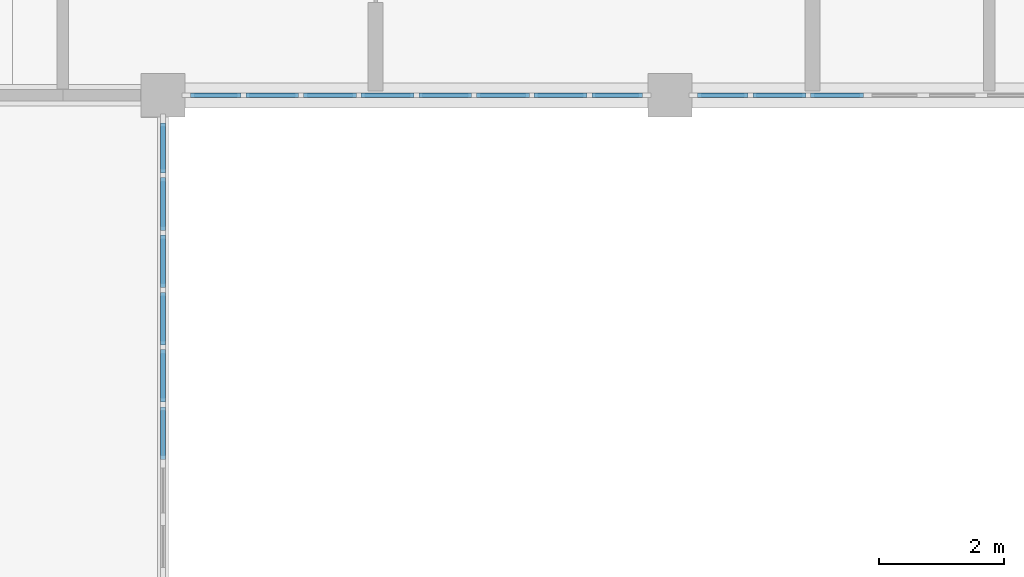
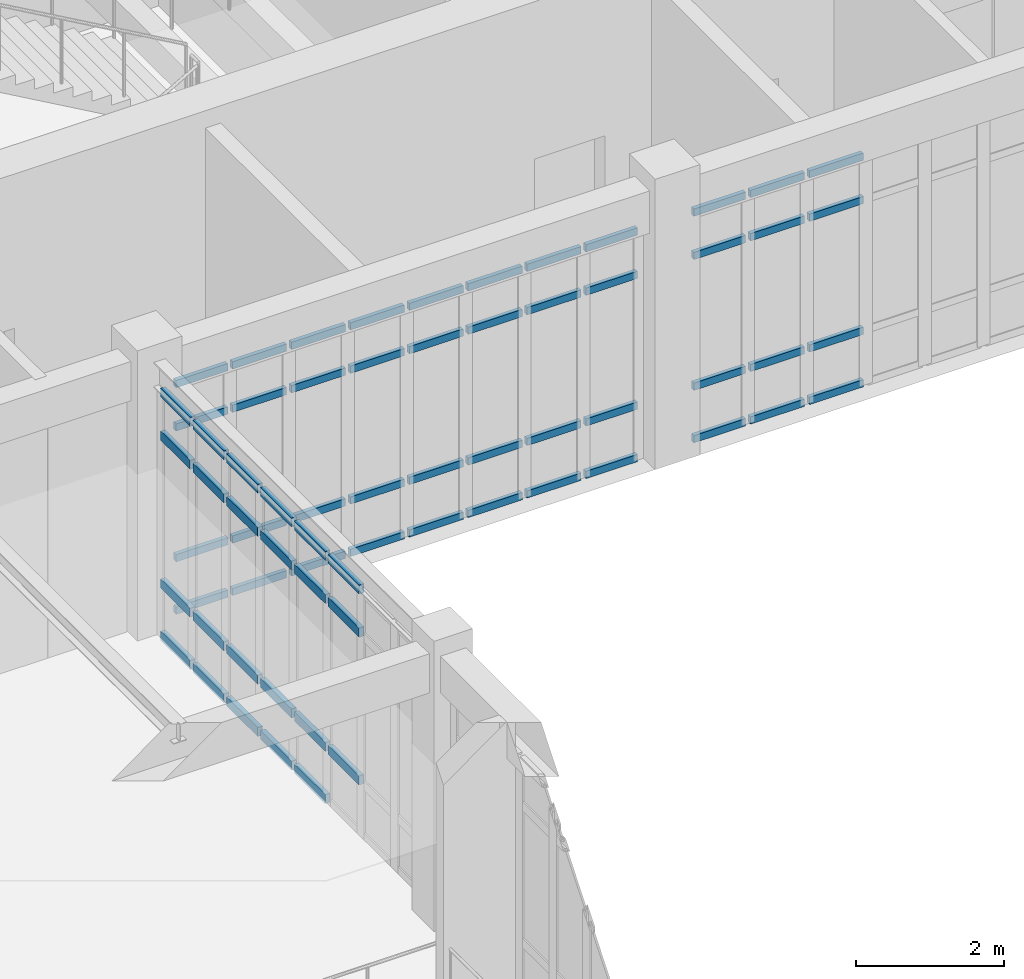
# One storey, part 24 of 61: 67 members, 3 elements without a shape of their own.
"""IFC4 building model written with IfcOpenShell, lengths in metres."""

from ifc_helpers import new_model, si_unit, direction, frame, origin, origin_2d, place, context, subcontext, project, spatial, rectangle, extrude, material, material_profile, profile_set, type_object, element, aggregate, save


model = new_model("IFC4")

# Units and contexts
model_context = context("Model", 3, precision=1e-05, world=origin(), true_north=direction((0.0, 1.0)))
body_context = subcontext(model_context, "Body", "Model", "MODEL_VIEW")
ifc_project = project(units=[si_unit("LENGTHUNIT", "METRE"), si_unit("AREAUNIT", "SQUARE_METRE"), si_unit("VOLUMEUNIT", "CUBIC_METRE"), si_unit("PLANEANGLEUNIT", "RADIAN"), si_unit("MASSUNIT", "GRAM", prefix="KILO")], contexts=[model_context])

# Site, building, storey
site_placement = place(None, origin())
site = spatial("IfcSite", under=ifc_project, at=site_placement, CompositionType="ELEMENT")
building_placement = place(site_placement, origin())
building = spatial("IfcBuilding", under=site, at=building_placement, Name="Tarnveldt Square Police Headquarters", CompositionType="ELEMENT")
storey_placement = place(building_placement, frame((0.0, 0.0, 5.39990234375)))
storey = spatial("IfcBuildingStorey", under=building, at=storey_placement, Name="L01", CompositionType="ELEMENT", Elevation=5.39990234375)

# Curtain wall, members
ifc_material_1 = material(Name="Triple-glazed low-e laminated vision glass", Category="glass")
curtain_wall_type_1 = type_object("IfcCurtainWallType", Name="CW-LB-737x381", PredefinedType="USERDEFINED", material=ifc_material_1)
curtain_wall_1_placement = place(storey_placement, origin())
curtain_wall_1 = element("IfcCurtainWall", 1, at=curtain_wall_1_placement, inside=storey, type_object=curtain_wall_type_1, Name="L01 Curtain Wall CW-L01-105", ObjectType="GLAZED CURTAIN WALL", PredefinedType="USERDEFINED")
ifc_material_2 = material(Name="Thermally broken anodised aluminium 6063-T6", Category="aluminium")
ifc_material_profile_1 = material_profile(ifc_material_2, rectangle(XDim=0.06494140625, YDim=0.1201171875, at=origin_2d()), Name="CW-T65x120")
ifc_profile_set_1 = profile_set([ifc_material_profile_1], Name="Thermally broken anodised aluminium 6063-T6")
member_type_1 = type_object("IfcMemberType", Name="CWT-65x120", PredefinedType="USERDEFINED", material=ifc_profile_set_1)
member_1_placement = place(storey_placement, frame((49.0400390625, 96.0, 0.03271484375), z_axis=(1.0, 0.0, 0.0), x_axis=(0.0, 1.0, 0.0)))
member_1 = element("IfcMember", 2, at=member_1_placement, type_object=member_type_1, Name="CW-LB60 transom 1.1", ObjectType="TRANSOM", PredefinedType="USERDEFINED", context=body_context, shape_type="SweptSolid", body=[
    extrude(rectangle(XDim=0.06494140625, YDim=0.1201171875, at=origin_2d()), origin(), (0.0, 0.0, 1.0), 0.80859375),
])
member_2_placement = place(storey_placement, frame((49.0400390625, 96.0, 0.900146484375), z_axis=(1.0, 0.0, 0.0), x_axis=(0.0, 1.0, 0.0)))
member_2 = element("IfcMember", 3, at=member_2_placement, type_object=member_type_1, Name="CW-LB60 transom 1.2", ObjectType="TRANSOM", PredefinedType="USERDEFINED", context=body_context, shape_type="SweptSolid", body=[
    extrude(rectangle(XDim=0.06494140625, YDim=0.1201171875, at=origin_2d()), origin(), (0.0, 0.0, 1.0), 0.80859375),
])
member_3_placement = place(storey_placement, frame((49.0400390625, 96.0, 3.06201171875), z_axis=(1.0, 0.0, 0.0), x_axis=(0.0, 1.0, 0.0)))
member_3 = element("IfcMember", 4, at=member_3_placement, type_object=member_type_1, Name="CW-LB60 transom 1.3", ObjectType="TRANSOM", PredefinedType="USERDEFINED", context=body_context, shape_type="SweptSolid", body=[
    extrude(rectangle(XDim=0.06494140625, YDim=0.1201171875, at=origin_2d()), origin(), (0.0, 0.0, 1.0), 0.80859375),
])
member_4_placement = place(storey_placement, frame((49.0400390625, 96.0, 3.779541015625), z_axis=(1.0, 0.0, 0.0), x_axis=(0.0, 1.0, 0.0)))
member_4 = element("IfcMember", 5, at=member_4_placement, type_object=member_type_1, Name="CW-LB60 transom 1.4", ObjectType="TRANSOM", PredefinedType="USERDEFINED", context=body_context, shape_type="SweptSolid", body=[
    extrude(rectangle(XDim=0.06494140625, YDim=0.1201171875, at=origin_2d()), origin(), (0.0, 0.0, 1.0), 0.80859375),
])
member_5_placement = place(storey_placement, frame((49.923828125, 96.0, 0.03271484375), z_axis=(1.0, 0.0, 0.0), x_axis=(0.0, 1.0, 0.0)))
member_5 = element("IfcMember", 6, at=member_5_placement, type_object=member_type_1, Name="CW-LB60 transom 2.1", ObjectType="TRANSOM", PredefinedType="USERDEFINED", context=body_context, shape_type="SweptSolid", body=[
    extrude(rectangle(XDim=0.06494140625, YDim=0.1201171875, at=origin_2d()), origin(), (0.0, 0.0, 1.0), 0.84619140625),
])
member_6_placement = place(storey_placement, frame((49.923828125, 96.0, 0.900146484375), z_axis=(1.0, 0.0, 0.0), x_axis=(0.0, 1.0, 0.0)))
member_6 = element("IfcMember", 7, at=member_6_placement, type_object=member_type_1, Name="CW-LB60 transom 2.2", ObjectType="TRANSOM", PredefinedType="USERDEFINED", context=body_context, shape_type="SweptSolid", body=[
    extrude(rectangle(XDim=0.06494140625, YDim=0.1201171875, at=origin_2d()), origin(), (0.0, 0.0, 1.0), 0.84619140625),
])
member_7_placement = place(storey_placement, frame((49.923828125, 96.0, 3.06201171875), z_axis=(1.0, 0.0, 0.0), x_axis=(0.0, 1.0, 0.0)))
member_7 = element("IfcMember", 8, at=member_7_placement, type_object=member_type_1, Name="CW-LB60 transom 2.3", ObjectType="TRANSOM", PredefinedType="USERDEFINED", context=body_context, shape_type="SweptSolid", body=[
    extrude(rectangle(XDim=0.06494140625, YDim=0.1201171875, at=origin_2d()), origin(), (0.0, 0.0, 1.0), 0.84619140625),
])
member_8_placement = place(storey_placement, frame((49.923828125, 96.0, 3.779541015625), z_axis=(1.0, 0.0, 0.0), x_axis=(0.0, 1.0, 0.0)))
member_8 = element("IfcMember", 9, at=member_8_placement, type_object=member_type_1, Name="CW-LB60 transom 2.4", ObjectType="TRANSOM", PredefinedType="USERDEFINED", context=body_context, shape_type="SweptSolid", body=[
    extrude(rectangle(XDim=0.06494140625, YDim=0.1201171875, at=origin_2d()), origin(), (0.0, 0.0, 1.0), 0.84619140625),
])
member_9_placement = place(storey_placement, frame((50.844970703125, 96.0, 0.03271484375), z_axis=(1.0, 0.0, 0.0), x_axis=(0.0, 1.0, 0.0)))
member_9 = element("IfcMember", 10, at=member_9_placement, type_object=member_type_1, Name="CW-LB60 transom 3.1", ObjectType="TRANSOM", PredefinedType="USERDEFINED", context=body_context, shape_type="SweptSolid", body=[
    extrude(rectangle(XDim=0.06494140625, YDim=0.1201171875, at=origin_2d()), origin(), (0.0, 0.0, 1.0), 0.84619140625),
])
member_10_placement = place(storey_placement, frame((50.844970703125, 96.0, 0.900146484375), z_axis=(1.0, 0.0, 0.0), x_axis=(0.0, 1.0, 0.0)))
member_10 = element("IfcMember", 11, at=member_10_placement, type_object=member_type_1, Name="CW-LB60 transom 3.2", ObjectType="TRANSOM", PredefinedType="USERDEFINED", context=body_context, shape_type="SweptSolid", body=[
    extrude(rectangle(XDim=0.06494140625, YDim=0.1201171875, at=origin_2d()), origin(), (0.0, 0.0, 1.0), 0.84619140625),
])
member_11_placement = place(storey_placement, frame((50.844970703125, 96.0, 3.06201171875), z_axis=(1.0, 0.0, 0.0), x_axis=(0.0, 1.0, 0.0)))
member_11 = element("IfcMember", 12, at=member_11_placement, type_object=member_type_1, Name="CW-LB60 transom 3.3", ObjectType="TRANSOM", PredefinedType="USERDEFINED", context=body_context, shape_type="SweptSolid", body=[
    extrude(rectangle(XDim=0.06494140625, YDim=0.1201171875, at=origin_2d()), origin(), (0.0, 0.0, 1.0), 0.84619140625),
])
member_12_placement = place(storey_placement, frame((50.844970703125, 96.0, 3.779541015625), z_axis=(1.0, 0.0, 0.0), x_axis=(0.0, 1.0, 0.0)))
member_12 = element("IfcMember", 13, at=member_12_placement, type_object=member_type_1, Name="CW-LB60 transom 3.4", ObjectType="TRANSOM", PredefinedType="USERDEFINED", context=body_context, shape_type="SweptSolid", body=[
    extrude(rectangle(XDim=0.06494140625, YDim=0.1201171875, at=origin_2d()), origin(), (0.0, 0.0, 1.0), 0.84619140625),
])
member_13_placement = place(storey_placement, frame((51.766357421875, 96.0, 0.03271484375), z_axis=(1.0, 0.0, 0.0), x_axis=(0.0, 1.0, 0.0)))
member_13 = element("IfcMember", 14, at=member_13_placement, type_object=member_type_1, Name="CW-LB60 transom 4.1", ObjectType="TRANSOM", PredefinedType="USERDEFINED", context=body_context, shape_type="SweptSolid", body=[
    extrude(rectangle(XDim=0.06494140625, YDim=0.1201171875, at=origin_2d()), origin(), (0.0, 0.0, 1.0), 0.84619140625),
])
member_14_placement = place(storey_placement, frame((51.766357421875, 96.0, 0.900146484375), z_axis=(1.0, 0.0, 0.0), x_axis=(0.0, 1.0, 0.0)))
member_14 = element("IfcMember", 15, at=member_14_placement, type_object=member_type_1, Name="CW-LB60 transom 4.2", ObjectType="TRANSOM", PredefinedType="USERDEFINED", context=body_context, shape_type="SweptSolid", body=[
    extrude(rectangle(XDim=0.06494140625, YDim=0.1201171875, at=origin_2d()), origin(), (0.0, 0.0, 1.0), 0.84619140625),
])
member_15_placement = place(storey_placement, frame((51.766357421875, 96.0, 3.06201171875), z_axis=(1.0, 0.0, 0.0), x_axis=(0.0, 1.0, 0.0)))
member_15 = element("IfcMember", 16, at=member_15_placement, type_object=member_type_1, Name="CW-LB60 transom 4.3", ObjectType="TRANSOM", PredefinedType="USERDEFINED", context=body_context, shape_type="SweptSolid", body=[
    extrude(rectangle(XDim=0.06494140625, YDim=0.1201171875, at=origin_2d()), origin(), (0.0, 0.0, 1.0), 0.84619140625),
])
member_16_placement = place(storey_placement, frame((51.766357421875, 96.0, 3.779541015625), z_axis=(1.0, 0.0, 0.0), x_axis=(0.0, 1.0, 0.0)))
member_16 = element("IfcMember", 17, at=member_16_placement, type_object=member_type_1, Name="CW-LB60 transom 4.4", ObjectType="TRANSOM", PredefinedType="USERDEFINED", context=body_context, shape_type="SweptSolid", body=[
    extrude(rectangle(XDim=0.06494140625, YDim=0.1201171875, at=origin_2d()), origin(), (0.0, 0.0, 1.0), 0.84619140625),
])
member_17_placement = place(storey_placement, frame((52.6875, 96.0, 0.03271484375), z_axis=(1.0, 0.0, 0.0), x_axis=(0.0, 1.0, 0.0)))
member_17 = element("IfcMember", 18, at=member_17_placement, type_object=member_type_1, Name="CW-LB60 transom 5.1", ObjectType="TRANSOM", PredefinedType="USERDEFINED", context=body_context, shape_type="SweptSolid", body=[
    extrude(rectangle(XDim=0.06494140625, YDim=0.1201171875, at=origin_2d()), origin(), (0.0, 0.0, 1.0), 0.84619140625),
])
member_18_placement = place(storey_placement, frame((52.6875, 96.0, 0.900146484375), z_axis=(1.0, 0.0, 0.0), x_axis=(0.0, 1.0, 0.0)))
member_18 = element("IfcMember", 19, at=member_18_placement, type_object=member_type_1, Name="CW-LB60 transom 5.2", ObjectType="TRANSOM", PredefinedType="USERDEFINED", context=body_context, shape_type="SweptSolid", body=[
    extrude(rectangle(XDim=0.06494140625, YDim=0.1201171875, at=origin_2d()), origin(), (0.0, 0.0, 1.0), 0.84619140625),
])
member_19_placement = place(storey_placement, frame((52.6875, 96.0, 3.06201171875), z_axis=(1.0, 0.0, 0.0), x_axis=(0.0, 1.0, 0.0)))
member_19 = element("IfcMember", 20, at=member_19_placement, type_object=member_type_1, Name="CW-LB60 transom 5.3", ObjectType="TRANSOM", PredefinedType="USERDEFINED", context=body_context, shape_type="SweptSolid", body=[
    extrude(rectangle(XDim=0.06494140625, YDim=0.1201171875, at=origin_2d()), origin(), (0.0, 0.0, 1.0), 0.84619140625),
])
member_20_placement = place(storey_placement, frame((52.6875, 96.0, 3.779541015625), z_axis=(1.0, 0.0, 0.0), x_axis=(0.0, 1.0, 0.0)))
member_20 = element("IfcMember", 21, at=member_20_placement, type_object=member_type_1, Name="CW-LB60 transom 5.4", ObjectType="TRANSOM", PredefinedType="USERDEFINED", context=body_context, shape_type="SweptSolid", body=[
    extrude(rectangle(XDim=0.06494140625, YDim=0.1201171875, at=origin_2d()), origin(), (0.0, 0.0, 1.0), 0.84619140625),
])
member_21_placement = place(storey_placement, frame((53.608642578125, 96.0, 0.03271484375), z_axis=(1.0, 0.0, 0.0), x_axis=(0.0, 1.0, 0.0)))
member_21 = element("IfcMember", 22, at=member_21_placement, type_object=member_type_1, Name="CW-LB60 transom 6.1", ObjectType="TRANSOM", PredefinedType="USERDEFINED", context=body_context, shape_type="SweptSolid", body=[
    extrude(rectangle(XDim=0.06494140625, YDim=0.1201171875, at=origin_2d()), origin(), (0.0, 0.0, 1.0), 0.846435546875),
])
member_22_placement = place(storey_placement, frame((53.608642578125, 96.0, 0.900146484375), z_axis=(1.0, 0.0, 0.0), x_axis=(0.0, 1.0, 0.0)))
member_22 = element("IfcMember", 23, at=member_22_placement, type_object=member_type_1, Name="CW-LB60 transom 6.2", ObjectType="TRANSOM", PredefinedType="USERDEFINED", context=body_context, shape_type="SweptSolid", body=[
    extrude(rectangle(XDim=0.06494140625, YDim=0.1201171875, at=origin_2d()), origin(), (0.0, 0.0, 1.0), 0.846435546875),
])
member_23_placement = place(storey_placement, frame((53.608642578125, 96.0, 3.06201171875), z_axis=(1.0, 0.0, 0.0), x_axis=(0.0, 1.0, 0.0)))
member_23 = element("IfcMember", 24, at=member_23_placement, type_object=member_type_1, Name="CW-LB60 transom 6.3", ObjectType="TRANSOM", PredefinedType="USERDEFINED", context=body_context, shape_type="SweptSolid", body=[
    extrude(rectangle(XDim=0.06494140625, YDim=0.1201171875, at=origin_2d()), origin(), (0.0, 0.0, 1.0), 0.846435546875),
])
member_24_placement = place(storey_placement, frame((53.608642578125, 96.0, 3.779541015625), z_axis=(1.0, 0.0, 0.0), x_axis=(0.0, 1.0, 0.0)))
member_24 = element("IfcMember", 25, at=member_24_placement, type_object=member_type_1, Name="CW-LB60 transom 6.4", ObjectType="TRANSOM", PredefinedType="USERDEFINED", context=body_context, shape_type="SweptSolid", body=[
    extrude(rectangle(XDim=0.06494140625, YDim=0.1201171875, at=origin_2d()), origin(), (0.0, 0.0, 1.0), 0.846435546875),
])
member_25_placement = place(storey_placement, frame((54.530029296875, 96.0, 0.03271484375), z_axis=(1.0, 0.0, 0.0), x_axis=(0.0, 1.0, 0.0)))
member_25 = element("IfcMember", 26, at=member_25_placement, type_object=member_type_1, Name="CW-LB60 transom 7.1", ObjectType="TRANSOM", PredefinedType="USERDEFINED", context=body_context, shape_type="SweptSolid", body=[
    extrude(rectangle(XDim=0.06494140625, YDim=0.1201171875, at=origin_2d()), origin(), (0.0, 0.0, 1.0), 0.84619140625),
])
member_26_placement = place(storey_placement, frame((54.530029296875, 96.0, 0.900146484375), z_axis=(1.0, 0.0, 0.0), x_axis=(0.0, 1.0, 0.0)))
member_26 = element("IfcMember", 27, at=member_26_placement, type_object=member_type_1, Name="CW-LB60 transom 7.2", ObjectType="TRANSOM", PredefinedType="USERDEFINED", context=body_context, shape_type="SweptSolid", body=[
    extrude(rectangle(XDim=0.06494140625, YDim=0.1201171875, at=origin_2d()), origin(), (0.0, 0.0, 1.0), 0.84619140625),
])
member_27_placement = place(storey_placement, frame((54.530029296875, 96.0, 3.06201171875), z_axis=(1.0, 0.0, 0.0), x_axis=(0.0, 1.0, 0.0)))
member_27 = element("IfcMember", 28, at=member_27_placement, type_object=member_type_1, Name="CW-LB60 transom 7.3", ObjectType="TRANSOM", PredefinedType="USERDEFINED", context=body_context, shape_type="SweptSolid", body=[
    extrude(rectangle(XDim=0.06494140625, YDim=0.1201171875, at=origin_2d()), origin(), (0.0, 0.0, 1.0), 0.84619140625),
])
member_28_placement = place(storey_placement, frame((54.530029296875, 96.0, 3.779541015625), z_axis=(1.0, 0.0, 0.0), x_axis=(0.0, 1.0, 0.0)))
member_28 = element("IfcMember", 29, at=member_28_placement, type_object=member_type_1, Name="CW-LB60 transom 7.4", ObjectType="TRANSOM", PredefinedType="USERDEFINED", context=body_context, shape_type="SweptSolid", body=[
    extrude(rectangle(XDim=0.06494140625, YDim=0.1201171875, at=origin_2d()), origin(), (0.0, 0.0, 1.0), 0.84619140625),
])
member_29_placement = place(storey_placement, frame((55.451171875, 96.0, 0.03271484375), z_axis=(1.0, 0.0, 0.0), x_axis=(0.0, 1.0, 0.0)))
member_29 = element("IfcMember", 30, at=member_29_placement, type_object=member_type_1, Name="CW-LB60 transom 8.1", ObjectType="TRANSOM", PredefinedType="USERDEFINED", context=body_context, shape_type="SweptSolid", body=[
    extrude(rectangle(XDim=0.06494140625, YDim=0.1201171875, at=origin_2d()), origin(), (0.0, 0.0, 1.0), 0.808837890625),
])
member_30_placement = place(storey_placement, frame((55.451171875, 96.0, 0.900146484375), z_axis=(1.0, 0.0, 0.0), x_axis=(0.0, 1.0, 0.0)))
member_30 = element("IfcMember", 31, at=member_30_placement, type_object=member_type_1, Name="CW-LB60 transom 8.2", ObjectType="TRANSOM", PredefinedType="USERDEFINED", context=body_context, shape_type="SweptSolid", body=[
    extrude(rectangle(XDim=0.06494140625, YDim=0.1201171875, at=origin_2d()), origin(), (0.0, 0.0, 1.0), 0.808837890625),
])
member_31_placement = place(storey_placement, frame((55.451171875, 96.0, 3.06201171875), z_axis=(1.0, 0.0, 0.0), x_axis=(0.0, 1.0, 0.0)))
member_31 = element("IfcMember", 32, at=member_31_placement, type_object=member_type_1, Name="CW-LB60 transom 8.3", ObjectType="TRANSOM", PredefinedType="USERDEFINED", context=body_context, shape_type="SweptSolid", body=[
    extrude(rectangle(XDim=0.06494140625, YDim=0.1201171875, at=origin_2d()), origin(), (0.0, 0.0, 1.0), 0.808837890625),
])
member_32_placement = place(storey_placement, frame((55.451171875, 96.0, 3.779541015625), z_axis=(1.0, 0.0, 0.0), x_axis=(0.0, 1.0, 0.0)))
member_32 = element("IfcMember", 33, at=member_32_placement, type_object=member_type_1, Name="CW-LB60 transom 8.4", ObjectType="TRANSOM", PredefinedType="USERDEFINED", context=body_context, shape_type="SweptSolid", body=[
    extrude(rectangle(XDim=0.06494140625, YDim=0.1201171875, at=origin_2d()), origin(), (0.0, 0.0, 1.0), 0.808837890625),
])
aggregate(curtain_wall_1, [member_1, member_2, member_3, member_4, member_5, member_6, member_7, member_8, member_9, member_10, member_11, member_12, member_13, member_14, member_15, member_16, member_17, member_18, member_19, member_20, member_21, member_22, member_23, member_24, member_25, member_26, member_27, member_28, member_29, member_30, member_31, member_32])

curtain_wall_2_placement = place(storey_placement, origin())
curtain_wall_2 = element("IfcCurtainWall", 34, at=curtain_wall_2_placement, inside=storey, type_object=curtain_wall_type_1, Name="L01 Curtain Wall CW-L01-106", ObjectType="GLAZED CURTAIN WALL", PredefinedType="USERDEFINED")
member_33_placement = place(storey_placement, frame((57.139892578125, 96.0, 0.03271484375), z_axis=(1.0, 0.0, 0.0), x_axis=(0.0, 1.0, 0.0)))
member_33 = element("IfcMember", 35, at=member_33_placement, type_object=member_type_1, Name="CW-LB60 transom 1.1", ObjectType="TRANSOM", PredefinedType="USERDEFINED", context=body_context, shape_type="SweptSolid", body=[
    extrude(rectangle(XDim=0.06494140625, YDim=0.1201171875, at=origin_2d()), origin(), (0.0, 0.0, 1.0), 0.808837890625),
])
member_34_placement = place(storey_placement, frame((57.139892578125, 96.0, 0.900146484375), z_axis=(1.0, 0.0, 0.0), x_axis=(0.0, 1.0, 0.0)))
member_34 = element("IfcMember", 36, at=member_34_placement, type_object=member_type_1, Name="CW-LB60 transom 1.2", ObjectType="TRANSOM", PredefinedType="USERDEFINED", context=body_context, shape_type="SweptSolid", body=[
    extrude(rectangle(XDim=0.06494140625, YDim=0.1201171875, at=origin_2d()), origin(), (0.0, 0.0, 1.0), 0.808837890625),
])
member_35_placement = place(storey_placement, frame((57.139892578125, 96.0, 3.06201171875), z_axis=(1.0, 0.0, 0.0), x_axis=(0.0, 1.0, 0.0)))
member_35 = element("IfcMember", 37, at=member_35_placement, type_object=member_type_1, Name="CW-LB60 transom 1.3", ObjectType="TRANSOM", PredefinedType="USERDEFINED", context=body_context, shape_type="SweptSolid", body=[
    extrude(rectangle(XDim=0.06494140625, YDim=0.1201171875, at=origin_2d()), origin(), (0.0, 0.0, 1.0), 0.808837890625),
])
member_36_placement = place(storey_placement, frame((57.139892578125, 96.0, 3.779541015625), z_axis=(1.0, 0.0, 0.0), x_axis=(0.0, 1.0, 0.0)))
member_36 = element("IfcMember", 38, at=member_36_placement, type_object=member_type_1, Name="CW-LB60 transom 1.4", ObjectType="TRANSOM", PredefinedType="USERDEFINED", context=body_context, shape_type="SweptSolid", body=[
    extrude(rectangle(XDim=0.06494140625, YDim=0.1201171875, at=origin_2d()), origin(), (0.0, 0.0, 1.0), 0.808837890625),
])
member_37_placement = place(storey_placement, frame((58.023681640625, 96.0, 0.03271484375), z_axis=(1.0, 0.0, 0.0), x_axis=(0.0, 1.0, 0.0)))
member_37 = element("IfcMember", 39, at=member_37_placement, type_object=member_type_1, Name="CW-LB60 transom 2.1", ObjectType="TRANSOM", PredefinedType="USERDEFINED", context=body_context, shape_type="SweptSolid", body=[
    extrude(rectangle(XDim=0.06494140625, YDim=0.1201171875, at=origin_2d()), origin(), (0.0, 0.0, 1.0), 0.846435546875),
])
member_38_placement = place(storey_placement, frame((58.023681640625, 96.0, 0.900146484375), z_axis=(1.0, 0.0, 0.0), x_axis=(0.0, 1.0, 0.0)))
member_38 = element("IfcMember", 40, at=member_38_placement, type_object=member_type_1, Name="CW-LB60 transom 2.2", ObjectType="TRANSOM", PredefinedType="USERDEFINED", context=body_context, shape_type="SweptSolid", body=[
    extrude(rectangle(XDim=0.06494140625, YDim=0.1201171875, at=origin_2d()), origin(), (0.0, 0.0, 1.0), 0.846435546875),
])
member_39_placement = place(storey_placement, frame((58.023681640625, 96.0, 3.06201171875), z_axis=(1.0, 0.0, 0.0), x_axis=(0.0, 1.0, 0.0)))
member_39 = element("IfcMember", 41, at=member_39_placement, type_object=member_type_1, Name="CW-LB60 transom 2.3", ObjectType="TRANSOM", PredefinedType="USERDEFINED", context=body_context, shape_type="SweptSolid", body=[
    extrude(rectangle(XDim=0.06494140625, YDim=0.1201171875, at=origin_2d()), origin(), (0.0, 0.0, 1.0), 0.846435546875),
])
member_40_placement = place(storey_placement, frame((58.023681640625, 96.0, 3.779541015625), z_axis=(1.0, 0.0, 0.0), x_axis=(0.0, 1.0, 0.0)))
member_40 = element("IfcMember", 42, at=member_40_placement, type_object=member_type_1, Name="CW-LB60 transom 2.4", ObjectType="TRANSOM", PredefinedType="USERDEFINED", context=body_context, shape_type="SweptSolid", body=[
    extrude(rectangle(XDim=0.06494140625, YDim=0.1201171875, at=origin_2d()), origin(), (0.0, 0.0, 1.0), 0.846435546875),
])
member_41_placement = place(storey_placement, frame((58.945068359375, 96.0, 0.03271484375), z_axis=(1.0, 0.0, 0.0), x_axis=(0.0, 1.0, 0.0)))
member_41 = element("IfcMember", 43, at=member_41_placement, type_object=member_type_1, Name="CW-LB60 transom 3.1", ObjectType="TRANSOM", PredefinedType="USERDEFINED", context=body_context, shape_type="SweptSolid", body=[
    extrude(rectangle(XDim=0.06494140625, YDim=0.1201171875, at=origin_2d()), origin(), (0.0, 0.0, 1.0), 0.84619140625),
])
member_42_placement = place(storey_placement, frame((58.945068359375, 96.0, 0.900146484375), z_axis=(1.0, 0.0, 0.0), x_axis=(0.0, 1.0, 0.0)))
member_42 = element("IfcMember", 44, at=member_42_placement, type_object=member_type_1, Name="CW-LB60 transom 3.2", ObjectType="TRANSOM", PredefinedType="USERDEFINED", context=body_context, shape_type="SweptSolid", body=[
    extrude(rectangle(XDim=0.06494140625, YDim=0.1201171875, at=origin_2d()), origin(), (0.0, 0.0, 1.0), 0.84619140625),
])
member_43_placement = place(storey_placement, frame((58.945068359375, 96.0, 3.06201171875), z_axis=(1.0, 0.0, 0.0), x_axis=(0.0, 1.0, 0.0)))
member_43 = element("IfcMember", 45, at=member_43_placement, type_object=member_type_1, Name="CW-LB60 transom 3.3", ObjectType="TRANSOM", PredefinedType="USERDEFINED", context=body_context, shape_type="SweptSolid", body=[
    extrude(rectangle(XDim=0.06494140625, YDim=0.1201171875, at=origin_2d()), origin(), (0.0, 0.0, 1.0), 0.84619140625),
])
member_44_placement = place(storey_placement, frame((58.945068359375, 96.0, 3.779541015625), z_axis=(1.0, 0.0, 0.0), x_axis=(0.0, 1.0, 0.0)))
member_44 = element("IfcMember", 46, at=member_44_placement, type_object=member_type_1, Name="CW-LB60 transom 3.4", ObjectType="TRANSOM", PredefinedType="USERDEFINED", context=body_context, shape_type="SweptSolid", body=[
    extrude(rectangle(XDim=0.06494140625, YDim=0.1201171875, at=origin_2d()), origin(), (0.0, 0.0, 1.0), 0.84619140625),
])
aggregate(curtain_wall_2, [member_33, member_34, member_35, member_36, member_37, member_38, member_39, member_40, member_41, member_42, member_43, member_44])

curtain_wall_type_2 = type_object("IfcCurtainWallType", Name="CW-WG-732x409", PredefinedType="USERDEFINED", material=ifc_material_1)
curtain_wall_3_placement = place(storey_placement, origin())
curtain_wall_3 = element("IfcCurtainWall", 47, at=curtain_wall_3_placement, inside=storey, type_object=curtain_wall_type_2, Name="L01 Curtain Wall CW-L01-072", ObjectType="GLAZED CURTAIN WALL", PredefinedType="USERDEFINED")
ifc_material_profile_2 = material_profile(ifc_material_2, rectangle(XDim=0.074951171875, YDim=0.14990234375, at=origin_2d()), Name="CW-T75x150")
ifc_profile_set_2 = profile_set([ifc_material_profile_2], Name="Thermally broken anodised aluminium 6063-T6")
member_type_2 = type_object("IfcMemberType", Name="CWT-75x150", PredefinedType="USERDEFINED", material=ifc_profile_set_2)
member_45_placement = place(storey_placement, frame((48.60009765625, 90.1826171875, 0.900146484375), z_axis=(0.0, 1.0, 0.0), x_axis=(-1.0, 0.0, 0.0)))
member_45 = element("IfcMember", 48, at=member_45_placement, type_object=member_type_2, Name="CW-WG32 transom 3.2", ObjectType="TRANSOM", PredefinedType="USERDEFINED", context=body_context, shape_type="SweptSolid", body=[
    extrude(rectangle(XDim=0.074951171875, YDim=0.14990234375, at=origin_2d()), origin(), (0.0, 0.0, 1.0), 0.83984375),
])
member_46_placement = place(storey_placement, frame((48.60009765625, 90.1826171875, 3.34521484375), z_axis=(0.0, 1.0, 0.0), x_axis=(-1.0, 0.0, 0.0)))
member_46 = element("IfcMember", 49, at=member_46_placement, type_object=member_type_2, Name="CW-WG32 transom 3.3", ObjectType="TRANSOM", PredefinedType="USERDEFINED", context=body_context, shape_type="SweptSolid", body=[
    extrude(rectangle(XDim=0.074951171875, YDim=0.14990234375, at=origin_2d()), origin(), (0.0, 0.0, 1.0), 0.83984375),
])
member_47_placement = place(storey_placement, frame((48.60009765625, 90.1826171875, 4.0576171875), z_axis=(0.0, 1.0, 0.0), x_axis=(-1.0, 0.0, 0.0)))
member_47 = element("IfcMember", 50, at=member_47_placement, type_object=member_type_2, Name="CW-WG32 transom 3.4", ObjectType="TRANSOM", PredefinedType="USERDEFINED", context=body_context, shape_type="SweptSolid", body=[
    extrude(rectangle(XDim=0.074951171875, YDim=0.14990234375, at=origin_2d()), origin(), (0.0, 0.0, 1.0), 0.83984375),
])
member_48_placement = place(storey_placement, frame((48.60009765625, 91.097412109375, 0.03759765625), z_axis=(0.0, 1.0, 0.0), x_axis=(-1.0, 0.0, 0.0)))
member_48 = element("IfcMember", 51, at=member_48_placement, type_object=member_type_2, Name="CW-WG32 transom 4.1", ObjectType="TRANSOM", PredefinedType="USERDEFINED", context=body_context, shape_type="SweptSolid", body=[
    extrude(rectangle(XDim=0.074951171875, YDim=0.14990234375, at=origin_2d()), origin(), (0.0, 0.0, 1.0), 0.840087890625),
])
member_49_placement = place(storey_placement, frame((48.60009765625, 91.097412109375, 0.900146484375), z_axis=(0.0, 1.0, 0.0), x_axis=(-1.0, 0.0, 0.0)))
member_49 = element("IfcMember", 52, at=member_49_placement, type_object=member_type_2, Name="CW-WG32 transom 4.2", ObjectType="TRANSOM", PredefinedType="USERDEFINED", context=body_context, shape_type="SweptSolid", body=[
    extrude(rectangle(XDim=0.074951171875, YDim=0.14990234375, at=origin_2d()), origin(), (0.0, 0.0, 1.0), 0.840087890625),
])
member_50_placement = place(storey_placement, frame((48.60009765625, 91.097412109375, 3.34521484375), z_axis=(0.0, 1.0, 0.0), x_axis=(-1.0, 0.0, 0.0)))
member_50 = element("IfcMember", 53, at=member_50_placement, type_object=member_type_2, Name="CW-WG32 transom 4.3", ObjectType="TRANSOM", PredefinedType="USERDEFINED", context=body_context, shape_type="SweptSolid", body=[
    extrude(rectangle(XDim=0.074951171875, YDim=0.14990234375, at=origin_2d()), origin(), (0.0, 0.0, 1.0), 0.840087890625),
])
member_51_placement = place(storey_placement, frame((48.60009765625, 91.097412109375, 4.0576171875), z_axis=(0.0, 1.0, 0.0), x_axis=(-1.0, 0.0, 0.0)))
member_51 = element("IfcMember", 54, at=member_51_placement, type_object=member_type_2, Name="CW-WG32 transom 4.4", ObjectType="TRANSOM", PredefinedType="USERDEFINED", context=body_context, shape_type="SweptSolid", body=[
    extrude(rectangle(XDim=0.074951171875, YDim=0.14990234375, at=origin_2d()), origin(), (0.0, 0.0, 1.0), 0.840087890625),
])
member_52_placement = place(storey_placement, frame((48.60009765625, 92.012451171875, 0.03759765625), z_axis=(0.0, 1.0, 0.0), x_axis=(-1.0, 0.0, 0.0)))
member_52 = element("IfcMember", 55, at=member_52_placement, type_object=member_type_2, Name="CW-WG32 transom 5.1", ObjectType="TRANSOM", PredefinedType="USERDEFINED", context=body_context, shape_type="SweptSolid", body=[
    extrude(rectangle(XDim=0.074951171875, YDim=0.14990234375, at=origin_2d()), origin(), (0.0, 0.0, 1.0), 0.840087890625),
])
member_53_placement = place(storey_placement, frame((48.60009765625, 92.012451171875, 0.900146484375), z_axis=(0.0, 1.0, 0.0), x_axis=(-1.0, 0.0, 0.0)))
member_53 = element("IfcMember", 56, at=member_53_placement, type_object=member_type_2, Name="CW-WG32 transom 5.2", ObjectType="TRANSOM", PredefinedType="USERDEFINED", context=body_context, shape_type="SweptSolid", body=[
    extrude(rectangle(XDim=0.074951171875, YDim=0.14990234375, at=origin_2d()), origin(), (0.0, 0.0, 1.0), 0.840087890625),
])
member_54_placement = place(storey_placement, frame((48.60009765625, 92.012451171875, 3.34521484375), z_axis=(0.0, 1.0, 0.0), x_axis=(-1.0, 0.0, 0.0)))
member_54 = element("IfcMember", 57, at=member_54_placement, type_object=member_type_2, Name="CW-WG32 transom 5.3", ObjectType="TRANSOM", PredefinedType="USERDEFINED", context=body_context, shape_type="SweptSolid", body=[
    extrude(rectangle(XDim=0.074951171875, YDim=0.14990234375, at=origin_2d()), origin(), (0.0, 0.0, 1.0), 0.840087890625),
])
member_55_placement = place(storey_placement, frame((48.60009765625, 92.012451171875, 4.0576171875), z_axis=(0.0, 1.0, 0.0), x_axis=(-1.0, 0.0, 0.0)))
member_55 = element("IfcMember", 58, at=member_55_placement, type_object=member_type_2, Name="CW-WG32 transom 5.4", ObjectType="TRANSOM", PredefinedType="USERDEFINED", context=body_context, shape_type="SweptSolid", body=[
    extrude(rectangle(XDim=0.074951171875, YDim=0.14990234375, at=origin_2d()), origin(), (0.0, 0.0, 1.0), 0.840087890625),
])
member_56_placement = place(storey_placement, frame((48.60009765625, 92.927490234375, 0.03759765625), z_axis=(0.0, 1.0, 0.0), x_axis=(-1.0, 0.0, 0.0)))
member_56 = element("IfcMember", 59, at=member_56_placement, type_object=member_type_2, Name="CW-WG32 transom 6.1", ObjectType="TRANSOM", PredefinedType="USERDEFINED", context=body_context, shape_type="SweptSolid", body=[
    extrude(rectangle(XDim=0.074951171875, YDim=0.14990234375, at=origin_2d()), origin(), (0.0, 0.0, 1.0), 0.840087890625),
])
member_57_placement = place(storey_placement, frame((48.60009765625, 92.927490234375, 0.900146484375), z_axis=(0.0, 1.0, 0.0), x_axis=(-1.0, 0.0, 0.0)))
member_57 = element("IfcMember", 60, at=member_57_placement, type_object=member_type_2, Name="CW-WG32 transom 6.2", ObjectType="TRANSOM", PredefinedType="USERDEFINED", context=body_context, shape_type="SweptSolid", body=[
    extrude(rectangle(XDim=0.074951171875, YDim=0.14990234375, at=origin_2d()), origin(), (0.0, 0.0, 1.0), 0.840087890625),
])
member_58_placement = place(storey_placement, frame((48.60009765625, 92.927490234375, 3.34521484375), z_axis=(0.0, 1.0, 0.0), x_axis=(-1.0, 0.0, 0.0)))
member_58 = element("IfcMember", 61, at=member_58_placement, type_object=member_type_2, Name="CW-WG32 transom 6.3", ObjectType="TRANSOM", PredefinedType="USERDEFINED", context=body_context, shape_type="SweptSolid", body=[
    extrude(rectangle(XDim=0.074951171875, YDim=0.14990234375, at=origin_2d()), origin(), (0.0, 0.0, 1.0), 0.840087890625),
])
member_59_placement = place(storey_placement, frame((48.60009765625, 92.927490234375, 4.0576171875), z_axis=(0.0, 1.0, 0.0), x_axis=(-1.0, 0.0, 0.0)))
member_59 = element("IfcMember", 62, at=member_59_placement, type_object=member_type_2, Name="CW-WG32 transom 6.4", ObjectType="TRANSOM", PredefinedType="USERDEFINED", context=body_context, shape_type="SweptSolid", body=[
    extrude(rectangle(XDim=0.074951171875, YDim=0.14990234375, at=origin_2d()), origin(), (0.0, 0.0, 1.0), 0.840087890625),
])
member_60_placement = place(storey_placement, frame((48.60009765625, 93.842529296875, 0.03759765625), z_axis=(0.0, 1.0, 0.0), x_axis=(-1.0, 0.0, 0.0)))
member_60 = element("IfcMember", 63, at=member_60_placement, type_object=member_type_2, Name="CW-WG32 transom 7.1", ObjectType="TRANSOM", PredefinedType="USERDEFINED", context=body_context, shape_type="SweptSolid", body=[
    extrude(rectangle(XDim=0.074951171875, YDim=0.14990234375, at=origin_2d()), origin(), (0.0, 0.0, 1.0), 0.840087890625),
])
member_61_placement = place(storey_placement, frame((48.60009765625, 93.842529296875, 0.900146484375), z_axis=(0.0, 1.0, 0.0), x_axis=(-1.0, 0.0, 0.0)))
member_61 = element("IfcMember", 64, at=member_61_placement, type_object=member_type_2, Name="CW-WG32 transom 7.2", ObjectType="TRANSOM", PredefinedType="USERDEFINED", context=body_context, shape_type="SweptSolid", body=[
    extrude(rectangle(XDim=0.074951171875, YDim=0.14990234375, at=origin_2d()), origin(), (0.0, 0.0, 1.0), 0.840087890625),
])
member_62_placement = place(storey_placement, frame((48.60009765625, 93.842529296875, 3.34521484375), z_axis=(0.0, 1.0, 0.0), x_axis=(-1.0, 0.0, 0.0)))
member_62 = element("IfcMember", 65, at=member_62_placement, type_object=member_type_2, Name="CW-WG32 transom 7.3", ObjectType="TRANSOM", PredefinedType="USERDEFINED", context=body_context, shape_type="SweptSolid", body=[
    extrude(rectangle(XDim=0.074951171875, YDim=0.14990234375, at=origin_2d()), origin(), (0.0, 0.0, 1.0), 0.840087890625),
])
member_63_placement = place(storey_placement, frame((48.60009765625, 93.842529296875, 4.0576171875), z_axis=(0.0, 1.0, 0.0), x_axis=(-1.0, 0.0, 0.0)))
member_63 = element("IfcMember", 66, at=member_63_placement, type_object=member_type_2, Name="CW-WG32 transom 7.4", ObjectType="TRANSOM", PredefinedType="USERDEFINED", context=body_context, shape_type="SweptSolid", body=[
    extrude(rectangle(XDim=0.074951171875, YDim=0.14990234375, at=origin_2d()), origin(), (0.0, 0.0, 1.0), 0.840087890625),
])
member_64_placement = place(storey_placement, frame((48.60009765625, 94.757568359375, 0.03759765625), z_axis=(0.0, 1.0, 0.0), x_axis=(-1.0, 0.0, 0.0)))
member_64 = element("IfcMember", 67, at=member_64_placement, type_object=member_type_2, Name="CW-WG32 transom 8.1", ObjectType="TRANSOM", PredefinedType="USERDEFINED", context=body_context, shape_type="SweptSolid", body=[
    extrude(rectangle(XDim=0.074951171875, YDim=0.14990234375, at=origin_2d()), origin(), (0.0, 0.0, 1.0), 0.802490234375),
])
member_65_placement = place(storey_placement, frame((48.60009765625, 94.757568359375, 0.900146484375), z_axis=(0.0, 1.0, 0.0), x_axis=(-1.0, 0.0, 0.0)))
member_65 = element("IfcMember", 68, at=member_65_placement, type_object=member_type_2, Name="CW-WG32 transom 8.2", ObjectType="TRANSOM", PredefinedType="USERDEFINED", context=body_context, shape_type="SweptSolid", body=[
    extrude(rectangle(XDim=0.074951171875, YDim=0.14990234375, at=origin_2d()), origin(), (0.0, 0.0, 1.0), 0.802490234375),
])
member_66_placement = place(storey_placement, frame((48.60009765625, 94.757568359375, 3.34521484375), z_axis=(0.0, 1.0, 0.0), x_axis=(-1.0, 0.0, 0.0)))
member_66 = element("IfcMember", 69, at=member_66_placement, type_object=member_type_2, Name="CW-WG32 transom 8.3", ObjectType="TRANSOM", PredefinedType="USERDEFINED", context=body_context, shape_type="SweptSolid", body=[
    extrude(rectangle(XDim=0.074951171875, YDim=0.14990234375, at=origin_2d()), origin(), (0.0, 0.0, 1.0), 0.802490234375),
])
member_67_placement = place(storey_placement, frame((48.60009765625, 94.757568359375, 4.0576171875), z_axis=(0.0, 1.0, 0.0), x_axis=(-1.0, 0.0, 0.0)))
member_67 = element("IfcMember", 70, at=member_67_placement, type_object=member_type_2, Name="CW-WG32 transom 8.4", ObjectType="TRANSOM", PredefinedType="USERDEFINED", context=body_context, shape_type="SweptSolid", body=[
    extrude(rectangle(XDim=0.074951171875, YDim=0.14990234375, at=origin_2d()), origin(), (0.0, 0.0, 1.0), 0.802490234375),
])
aggregate(curtain_wall_3, [member_45, member_46, member_47, member_48, member_49, member_50, member_51, member_52, member_53, member_54, member_55, member_56, member_57, member_58, member_59, member_60, member_61, member_62, member_63, member_64, member_65, member_66, member_67])

save(model, "model.ifc")
